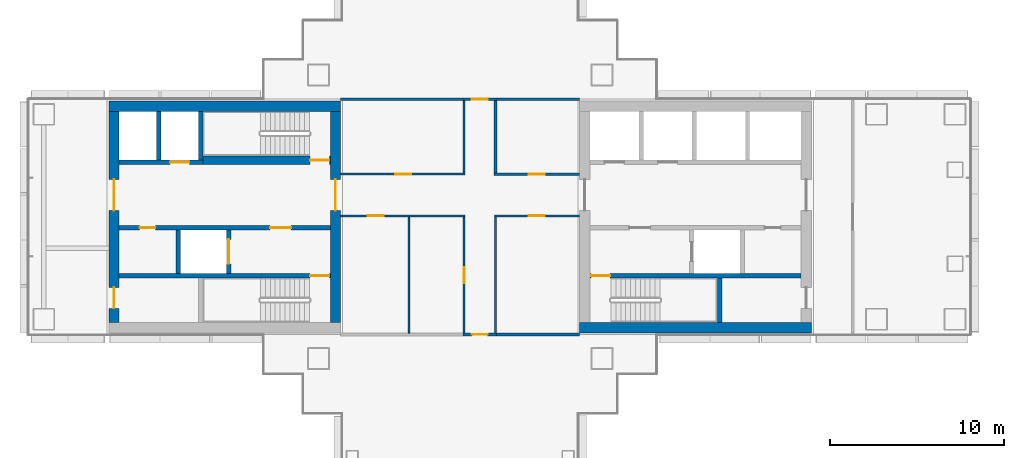
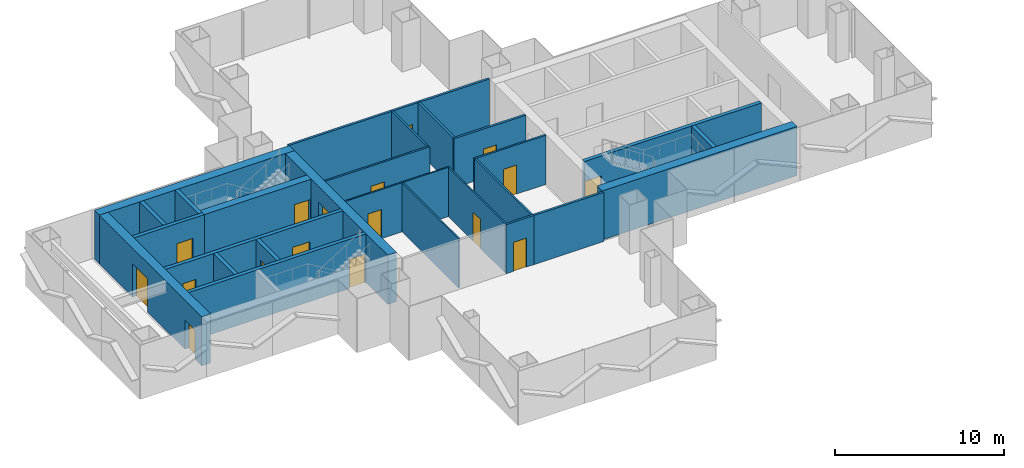
# One storey, part 12 of 18: 28 walls, 17 doors, 17 openings.
"""IFC4 building model written with IfcOpenShell, lengths in metres."""

from ifc_helpers import new_model, si_unit, direction, frame, frame_2d, origin, place, context, subcontext, project, spatial, rectangle, extrude, material, layer, layer_set, type_object, element, fill, save


model = new_model("IFC4")

# Units and contexts
model_context = context("Model", 3, precision=1e-05, world=origin(), true_north=direction((0.0, 1.0)))
body_context = subcontext(model_context, "Body", "Model", "MODEL_VIEW")
ifc_project = project(units=[si_unit("LENGTHUNIT", "METRE"), si_unit("AREAUNIT", "SQUARE_METRE"), si_unit("VOLUMEUNIT", "CUBIC_METRE"), si_unit("PLANEANGLEUNIT", "RADIAN"), si_unit("MASSUNIT", "GRAM", prefix="KILO")], contexts=[model_context])

# Site, building, storey
site_placement = place(None, origin())
site = spatial("IfcSite", under=ifc_project, at=site_placement, CompositionType="ELEMENT")
building_placement = place(site_placement, origin())
building = spatial("IfcBuilding", under=site, at=building_placement, Name="Shamsa Quay Exchange Towers", CompositionType="ELEMENT")
storey_placement = place(building_placement, frame((0.0, 0.0, 113.10009765625)))
storey = spatial("IfcBuildingStorey", under=building, at=storey_placement, Name="L26", CompositionType="ELEMENT", Elevation=113.10009765625)

# Walls
ifc_material_1 = material(Name="Concrete C70/85", Category="concrete")
ifc_layer_1 = layer(ifc_material_1, 0.60009765625)
ifc_layer_set_1 = layer_set([ifc_layer_1], Name="CORE WALL 600 C70/85")
wall_type_1 = type_object("IfcWallType", Name="CORE WALL 600 C70/85", PredefinedType="SHEAR", material=ifc_layer_set_1)
wall_1_placement = place(storey_placement, frame((-26.89990234375, -6.35009765625, 0.0)))
element("IfcWall", 1, at=wall_1_placement, inside=storey, type_object=wall_type_1, Name="Core wall T1A-R12-PS", PredefinedType="SHEAR", context=body_context, shape_type="SweptSolid", body=[
    extrude(rectangle(XDim=13.2998046875, YDim=0.60009765625, at=frame_2d((6.64990234375, 0.0))), origin(), (0.0, 0.0, 1.0), 3.5498046875),
])
wall_2_placement = place(storey_placement, frame((-40.60009765625, 6.35009765625, 0.0), z_axis=(0.0, 0.0, 1.0), x_axis=(-1.0, 0.0, 0.0)))
element("IfcWall", 2, at=wall_2_placement, inside=storey, type_object=wall_type_1, Name="Core wall T1B-R12-PN", PredefinedType="SHEAR", context=body_context, shape_type="SweptSolid", body=[
    extrude(rectangle(XDim=13.2998046875, YDim=0.60009765625, at=frame_2d((6.64990234375, 0.0))), origin(), (0.0, 0.0, 1.0), 3.5498046875),
])

# Wall, opening, door
wall_3_placement = place(storey_placement, frame((-40.89990234375, -6.050048828125, 0.0), z_axis=(0.0, 0.0, 1.0), x_axis=(0.0, 1.0, 0.0)))
wall_3 = element("IfcWall", 3, at=wall_3_placement, inside=storey, type_object=wall_type_1, Name="Core wall T1B-R12-PF", PredefinedType="SHEAR", context=body_context, shape_type="SweptSolid", body=[
    extrude(rectangle(XDim=12.10009765625, YDim=0.60009765625, at=frame_2d((6.050048828125, 0.0))), origin(), (0.0, 0.0, 1.0), 3.5498046875),
])
opening_1_placement = place(wall_3_placement, frame((6.39990234375, 0.0, 0.0)))
opening_1 = element("IfcOpeningElement", 4, at=opening_1_placement, cuts=wall_3, Name="Opening T1B-R12-LBD01", PredefinedType="OPENING", context=body_context, shape_type="SweptSolid", body=[
    extrude(rectangle(XDim=1.800048828125, YDim=2.39990234375, at=frame_2d((0.89990234375, 1.199951171875))), frame((0.0, 0.31005859375, 0.0), z_axis=(0.0, -1.0, 0.0), x_axis=(1.0, 0.0, 0.0)), (0.0, 0.0, 1.0), 0.6201171875),
])
ifc_material_2 = material(Name="Steel, fire rated", Category="steel")
door_type_1 = type_object("IfcDoorType", Name="LIFT LOBBY DOOR PAIR 1800", OperationType="DOUBLE_DOOR_SINGLE_SWING", PredefinedType="DOOR", material=ifc_material_2)
door_1_placement = place(opening_1_placement, origin())
door_1 = element("IfcDoor", 5, at=door_1_placement, inside=storey, type_object=door_type_1, Name="T1B-R12-LBD01", OperationType="DOUBLE_DOOR_SINGLE_SWING", OverallHeight=2.39990234375, OverallWidth=1.800048828125, PredefinedType="DOOR", context=body_context, shape_type="SweptSolid", body=[
    extrude(rectangle(XDim=1.800048828125, YDim=2.39990234375, at=frame_2d((0.89990234375, 1.199951171875))), frame((0.0, 0.02490234375, 0.0), z_axis=(0.0, -1.0, 0.0), x_axis=(1.0, 0.0, 0.0)), (0.0, 0.0, 1.0), 0.050048828125),
])
fill(opening_1, door_1)

# Wall, openings, doors
wall_4_placement = place(storey_placement, frame((-53.60009765625, -6.050048828125, 0.0), z_axis=(0.0, 0.0, 1.0), x_axis=(0.0, 1.0, 0.0)))
wall_4 = element("IfcWall", 6, at=wall_4_placement, inside=storey, type_object=wall_type_1, Name="Core wall T1B-R12-PB", PredefinedType="SHEAR", context=body_context, shape_type="SweptSolid", body=[
    extrude(rectangle(XDim=12.10009765625, YDim=0.60009765625, at=frame_2d((6.050048828125, 0.0))), origin(), (0.0, 0.0, 1.0), 3.5498046875),
])
opening_2_placement = place(wall_4_placement, frame((0.800048828125, 0.0, 0.0)))
opening_2 = element("IfcOpeningElement", 7, at=opening_2_placement, cuts=wall_4, Name="Opening T1B-R12-RD02", PredefinedType="OPENING", context=body_context, shape_type="SweptSolid", body=[
    extrude(rectangle(XDim=1.199951171875, YDim=2.10009765625, at=frame_2d((0.60009765625, 1.050048828125))), frame((0.0, 0.31005859375, 0.0), z_axis=(0.0, -1.0, 0.0), x_axis=(1.0, 0.0, 0.0)), (0.0, 0.0, 1.0), 0.6201171875),
])
opening_3_placement = place(wall_4_placement, frame((6.39990234375, 0.0, 0.0)))
opening_3 = element("IfcOpeningElement", 8, at=opening_3_placement, cuts=wall_4, Name="Opening T1B-R12-LBD03", PredefinedType="OPENING", context=body_context, shape_type="SweptSolid", body=[
    extrude(rectangle(XDim=1.800048828125, YDim=2.39990234375, at=frame_2d((0.89990234375, 1.199951171875))), frame((0.0, 0.31005859375, 0.0), z_axis=(0.0, -1.0, 0.0), x_axis=(1.0, 0.0, 0.0)), (0.0, 0.0, 1.0), 0.6201171875),
])
door_2_placement = place(opening_3_placement, origin())
door_2 = element("IfcDoor", 9, at=door_2_placement, inside=storey, type_object=door_type_1, Name="T1B-R12-LBD03", OperationType="DOUBLE_DOOR_SINGLE_SWING", OverallHeight=2.39990234375, OverallWidth=1.800048828125, PredefinedType="DOOR", context=body_context, shape_type="SweptSolid", body=[
    extrude(rectangle(XDim=1.800048828125, YDim=2.39990234375, at=frame_2d((0.89990234375, 1.199951171875))), frame((0.0, 0.02490234375, 0.0), z_axis=(0.0, -1.0, 0.0), x_axis=(1.0, 0.0, 0.0)), (0.0, 0.0, 1.0), 0.050048828125),
])
fill(opening_3, door_2)
door_type_2 = type_object("IfcDoorType", Name="RISER ACCESS DOOR 1200", OperationType="SINGLE_SWING_LEFT", PredefinedType="DOOR", material=ifc_material_2)
door_3_placement = place(opening_2_placement, origin())
door_3 = element("IfcDoor", 10, at=door_3_placement, inside=storey, type_object=door_type_2, Name="T1B-R12-RD02", OperationType="SINGLE_SWING_LEFT", OverallHeight=2.10009765625, OverallWidth=1.199951171875, PredefinedType="DOOR", context=body_context, shape_type="SweptSolid", body=[
    extrude(rectangle(XDim=1.199951171875, YDim=2.10009765625, at=frame_2d((0.60009765625, 1.050048828125))), frame((0.0, 0.02490234375, 0.0), z_axis=(0.0, -1.0, 0.0), x_axis=(1.0, 0.0, 0.0)), (0.0, 0.0, 1.0), 0.050048828125),
])
fill(opening_2, door_3)

# Wall, opening, door
ifc_material_3 = material(Name="Laminated fire-resisting glass in a metal frame", Category="glass")
ifc_layer_2 = layer(ifc_material_3, 0.125)
ifc_layer_set_2 = layer_set([ifc_layer_2], Name="Glazed partition 125 mm EI 60")
wall_type_2 = type_object("IfcWallType", Name="Glazed partition 125 mm EI 60", PredefinedType="PARTITIONING", material=ifc_layer_set_2)
wall_5_placement = place(storey_placement, frame((-26.89990234375, 0.0498046875, 0.0), z_axis=(0.0, 0.0, 1.0), x_axis=(-1.0, 0.0, 0.0)))
wall_5 = element("IfcWall", 11, at=wall_5_placement, inside=storey, type_object=wall_type_2, Name="Partition T1-R12-W03", PredefinedType="PARTITIONING", context=body_context, shape_type="SweptSolid", body=[
    extrude(rectangle(XDim=4.88720703125, YDim=0.125, at=frame_2d((2.443603515625, 0.0))), origin(), (0.0, 0.0, 1.0), 3.5498046875),
])
opening_4_placement = place(wall_5_placement, frame((2.01220703125, 0.0, 0.0)))
opening_4 = element("IfcOpeningElement", 12, at=opening_4_placement, cuts=wall_5, Name="Opening T1-R12-D07", PredefinedType="OPENING", context=body_context, shape_type="SweptSolid", body=[
    extrude(rectangle(XDim=0.89990234375, YDim=2.10009765625, at=frame_2d((0.449951171875, 1.050048828125))), frame((0.0, 0.072509765625, 0.0), z_axis=(0.0, -1.0, 0.0), x_axis=(1.0, 0.0, 0.0)), (0.0, 0.0, 1.0), 0.14501953125),
])
ifc_material_4 = material(Name="Timber door leaf in a metal frame", Category="wood")
door_type_3 = type_object("IfcDoorType", Name="Door 900x2100 FD30S", OperationType="NOTDEFINED", PredefinedType="DOOR", material=ifc_material_4)
door_4_placement = place(opening_4_placement, origin())
door_4 = element("IfcDoor", 13, at=door_4_placement, inside=storey, type_object=door_type_3, Name="Door T1-R12-D07", OperationType="SINGLE_SWING_LEFT", OverallHeight=2.10009765625, OverallWidth=0.89990234375, PredefinedType="DOOR", context=body_context, shape_type="SweptSolid", body=[
    extrude(rectangle(XDim=0.89990234375, YDim=2.10009765625, at=frame_2d((0.449951171875, 1.050048828125))), frame((0.0, 0.02490234375, 0.0), z_axis=(0.0, -1.0, 0.0), x_axis=(1.0, 0.0, 0.0)), (0.0, 0.0, 1.0), 0.050048828125),
])
fill(opening_4, door_4)

# Wall
wall_6_placement = place(storey_placement, frame((-31.724609375, -0.0126953125, 0.0), z_axis=(0.0, 0.0, 1.0), x_axis=(0.0, -1.0, 0.0)))
element("IfcWall", 14, at=wall_6_placement, inside=storey, type_object=wall_type_2, Name="Partition T1-R12-W04", PredefinedType="PARTITIONING", context=body_context, shape_type="SweptSolid", body=[
    extrude(rectangle(XDim=6.662353515625, YDim=0.125, at=frame_2d((3.3310546875, 0.0))), origin(), (0.0, 0.0, 1.0), 3.5498046875),
])

# Wall, opening, door
wall_7_placement = place(storey_placement, frame((-40.60009765625, 2.4501953125, 0.0)))
wall_7 = element("IfcWall", 15, at=wall_7_placement, inside=storey, type_object=wall_type_2, Name="Partition T1-R12-W05", PredefinedType="PARTITIONING", context=body_context, shape_type="SweptSolid", body=[
    extrude(rectangle(XDim=7.13720703125, YDim=0.125, at=frame_2d((3.568603515625, 0.0))), origin(), (0.0, 0.0, 1.0), 3.5498046875),
])
opening_5_placement = place(wall_7_placement, frame((3.13720703125, 0.0, 0.0)))
opening_5 = element("IfcOpeningElement", 16, at=opening_5_placement, cuts=wall_7, Name="Opening T1-R12-D01", PredefinedType="OPENING", context=body_context, shape_type="SweptSolid", body=[
    extrude(rectangle(XDim=0.89990234375, YDim=2.10009765625, at=frame_2d((0.449951171875, 1.050048828125))), frame((0.0, 0.072509765625, 0.0), z_axis=(0.0, -1.0, 0.0), x_axis=(1.0, 0.0, 0.0)), (0.0, 0.0, 1.0), 0.14501953125),
])
door_5_placement = place(opening_5_placement, origin())
door_5 = element("IfcDoor", 17, at=door_5_placement, inside=storey, type_object=door_type_3, Name="Door T1-R12-D01", OperationType="SINGLE_SWING_LEFT", OverallHeight=2.10009765625, OverallWidth=0.89990234375, PredefinedType="DOOR", context=body_context, shape_type="SweptSolid", body=[
    extrude(rectangle(XDim=0.89990234375, YDim=2.10009765625, at=frame_2d((0.449951171875, 1.050048828125))), frame((0.0, 0.02490234375, 0.0), z_axis=(0.0, -1.0, 0.0), x_axis=(1.0, 0.0, 0.0)), (0.0, 0.0, 1.0), 0.050048828125),
])
fill(opening_5, door_5)

# Wall
wall_8_placement = place(storey_placement, frame((-33.525390625, 2.5126953125, 0.0), z_axis=(0.0, 0.0, 1.0), x_axis=(0.0, 1.0, 0.0)))
element("IfcWall", 18, at=wall_8_placement, inside=storey, type_object=wall_type_2, Name="Partition T1-R12-W06", PredefinedType="PARTITIONING", context=body_context, shape_type="SweptSolid", body=[
    extrude(rectangle(XDim=4.162353515625, YDim=0.125, at=frame_2d((2.0810546875, 0.0))), origin(), (0.0, 0.0, 1.0), 3.5498046875),
])

# Wall, opening, door
ifc_material_5 = material(Name="Gypsum board partition on metal studs")
ifc_layer_3 = layer(ifc_material_5, 0.10009765625)
ifc_layer_set_3 = layer_set([ifc_layer_3], Name="Partition 100 mm NOT RATED")
wall_type_3 = type_object("IfcWallType", Name="Partition 100 mm NOT RATED", PredefinedType="PARTITIONING", material=ifc_layer_set_3)
wall_9_placement = place(storey_placement, frame((-33.475341796875, 0.0498046875, 0.0), z_axis=(0.0, 0.0, 1.0), x_axis=(-1.0, 0.0, 0.0)))
wall_9 = element("IfcWall", 19, at=wall_9_placement, inside=storey, type_object=wall_type_3, Name="Partition T1-R12-W07", PredefinedType="PARTITIONING", context=body_context, shape_type="SweptSolid", body=[
    extrude(rectangle(XDim=7.124755859375, YDim=0.10009765625, at=frame_2d((3.5625, 0.0))), origin(), (0.0, 0.0, 1.0), 3.5498046875),
])
opening_6_placement = place(wall_9_placement, frame((4.668212890625, 0.0, 0.0)))
opening_6 = element("IfcOpeningElement", 20, at=opening_6_placement, cuts=wall_9, Name="Opening T1-R12-D03", PredefinedType="OPENING", context=body_context, shape_type="SweptSolid", body=[
    extrude(rectangle(XDim=0.89990234375, YDim=2.10009765625, at=frame_2d((0.449951171875, 1.050048828125))), frame((0.0, 0.06005859375, 0.0), z_axis=(0.0, -1.0, 0.0), x_axis=(1.0, 0.0, 0.0)), (0.0, 0.0, 1.0), 0.1201171875),
])
door_type_4 = type_object("IfcDoorType", Name="Door 900x2100 NOT RATED", OperationType="NOTDEFINED", PredefinedType="DOOR", material=ifc_material_4)
door_6_placement = place(opening_6_placement, origin())
door_6 = element("IfcDoor", 21, at=door_6_placement, inside=storey, type_object=door_type_4, Name="Door T1-R12-D03", OperationType="SINGLE_SWING_LEFT", OverallHeight=2.10009765625, OverallWidth=0.89990234375, PredefinedType="DOOR", context=body_context, shape_type="SweptSolid", body=[
    extrude(rectangle(XDim=0.89990234375, YDim=2.10009765625, at=frame_2d((0.449951171875, 1.050048828125))), frame((0.0, 0.02490234375, 0.0), z_axis=(0.0, -1.0, 0.0), x_axis=(1.0, 0.0, 0.0)), (0.0, 0.0, 1.0), 0.050048828125),
])
fill(opening_6, door_6)

wall_10_placement = place(storey_placement, frame((-33.525390625, -6.675048828125, 0.0), z_axis=(0.0, 0.0, 1.0), x_axis=(0.0, 1.0, 0.0)))
wall_10 = element("IfcWall", 22, at=wall_10_placement, inside=storey, type_object=wall_type_3, Name="Partition T1-R12-W08", PredefinedType="PARTITIONING", context=body_context, shape_type="SweptSolid", body=[
    extrude(rectangle(XDim=6.6748046875, YDim=0.10009765625, at=frame_2d((3.33740234375, 0.0))), origin(), (0.0, 0.0, 1.0), 3.5498046875),
])
opening_7_placement = place(wall_10_placement, frame((2.875, 0.0, 0.0)))
opening_7 = element("IfcOpeningElement", 23, at=opening_7_placement, cuts=wall_10, Name="Opening T1-R12-D02", PredefinedType="OPENING", context=body_context, shape_type="SweptSolid", body=[
    extrude(rectangle(XDim=0.89990234375, YDim=2.10009765625, at=frame_2d((0.449951171875, 1.050048828125))), frame((0.0, 0.06005859375, 0.0), z_axis=(0.0, -1.0, 0.0), x_axis=(1.0, 0.0, 0.0)), (0.0, 0.0, 1.0), 0.1201171875),
])
door_7_placement = place(opening_7_placement, origin())
door_7 = element("IfcDoor", 24, at=door_7_placement, inside=storey, type_object=door_type_4, Name="Door T1-R12-D02", OperationType="SINGLE_SWING_RIGHT", OverallHeight=2.10009765625, OverallWidth=0.89990234375, PredefinedType="DOOR", context=body_context, shape_type="SweptSolid", body=[
    extrude(rectangle(XDim=0.89990234375, YDim=2.10009765625, at=frame_2d((0.449951171875, 1.050048828125))), frame((0.0, 0.02490234375, 0.0), z_axis=(0.0, -1.0, 0.0), x_axis=(1.0, 0.0, 0.0)), (0.0, 0.0, 1.0), 0.050048828125),
])
fill(opening_7, door_7)

# Walls
wall_11_placement = place(storey_placement, frame((-36.6875, -6.675048828125, 0.0), z_axis=(0.0, 0.0, 1.0), x_axis=(0.0, 1.0, 0.0)))
element("IfcWall", 25, at=wall_11_placement, inside=storey, type_object=wall_type_3, Name="Partition T1-R12-W16", PredefinedType="PARTITIONING", context=body_context, shape_type="SweptSolid", body=[
    extrude(rectangle(XDim=6.6748046875, YDim=0.10009765625, at=frame_2d((3.33740234375, 0.0))), origin(), (0.0, 0.0, 1.0), 3.5498046875),
])
ifc_layer_4 = layer(ifc_material_5, 0.14990234375)
ifc_layer_set_4 = layer_set([ifc_layer_4], Name="Partition 150 mm EI 60")
wall_type_4 = type_object("IfcWallType", Name="Partition 150 mm EI 60", PredefinedType="PARTITIONING", material=ifc_layer_set_4)
wall_12_placement = place(storey_placement, frame((-31.724609375, 6.675048828125, 0.0), z_axis=(0.0, 0.0, 1.0), x_axis=(0.0, -1.0, 0.0)))
element("IfcWall", 26, at=wall_12_placement, inside=storey, type_object=wall_type_4, Name="Partition T1-R12-W01", PredefinedType="PARTITIONING", context=body_context, shape_type="SweptSolid", body=[
    extrude(rectangle(XDim=4.14990234375, YDim=0.14990234375, at=frame_2d((2.074951171875, 0.0))), origin(), (0.0, 0.0, 1.0), 3.5498046875),
])

# Wall, opening, door
wall_13_placement = place(storey_placement, frame((-31.799560546875, 2.4501953125, 0.0)))
wall_13 = element("IfcWall", 27, at=wall_13_placement, inside=storey, type_object=wall_type_4, Name="Partition T1-R12-W02", PredefinedType="PARTITIONING", context=body_context, shape_type="SweptSolid", body=[
    extrude(rectangle(XDim=4.899658203125, YDim=0.14990234375, at=frame_2d((2.44970703125, 0.0))), origin(), (0.0, 0.0, 1.0), 3.5498046875),
])
opening_8_placement = place(wall_13_placement, frame((1.9873046875, 0.0, 0.0)))
opening_8 = element("IfcOpeningElement", 28, at=opening_8_placement, cuts=wall_13, Name="Opening T1-R12-D06", PredefinedType="OPENING", context=body_context, shape_type="SweptSolid", body=[
    extrude(rectangle(XDim=0.89990234375, YDim=2.10009765625, at=frame_2d((0.449951171875, 1.050048828125))), frame((0.0, 0.0849609375, 0.0), z_axis=(0.0, -1.0, 0.0), x_axis=(1.0, 0.0, 0.0)), (0.0, 0.0, 1.0), 0.169921875),
])
door_8_placement = place(opening_8_placement, origin())
door_8 = element("IfcDoor", 29, at=door_8_placement, inside=storey, type_object=door_type_3, Name="Door T1-R12-D06", OperationType="SINGLE_SWING_LEFT", OverallHeight=2.10009765625, OverallWidth=0.89990234375, PredefinedType="DOOR", context=body_context, shape_type="SweptSolid", body=[
    extrude(rectangle(XDim=0.89990234375, YDim=2.10009765625, at=frame_2d((0.449951171875, 1.050048828125))), frame((0.0, 0.02490234375, 0.0), z_axis=(0.0, -1.0, 0.0), x_axis=(1.0, 0.0, 0.0)), (0.0, 0.0, 1.0), 0.050048828125),
])
fill(opening_8, door_8)

wall_14_placement = place(storey_placement, frame((-33.587890625, 6.75, 0.0)))
wall_14 = element("IfcWall", 30, at=wall_14_placement, inside=storey, type_object=wall_type_4, Name="Partition T1-R12-W09", PredefinedType="PARTITIONING", context=body_context, shape_type="SweptSolid", body=[
    extrude(rectangle(XDim=1.938232421875, YDim=0.14990234375, at=frame_2d((0.96923828125, 0.0))), origin(), (0.0, 0.0, 1.0), 3.5498046875),
])
opening_9_placement = place(wall_14_placement, frame((0.512939453125, 0.0, 0.0)))
opening_9 = element("IfcOpeningElement", 31, at=opening_9_placement, cuts=wall_14, Name="Opening T1-R12-D04", PredefinedType="OPENING", context=body_context, shape_type="SweptSolid", body=[
    extrude(rectangle(XDim=0.89990234375, YDim=2.10009765625, at=frame_2d((0.449951171875, 1.050048828125))), frame((0.0, 0.0849609375, 0.0), z_axis=(0.0, -1.0, 0.0), x_axis=(1.0, 0.0, 0.0)), (0.0, 0.0, 1.0), 0.169921875),
])
door_9_placement = place(opening_9_placement, origin())
door_9 = element("IfcDoor", 32, at=door_9_placement, inside=storey, type_object=door_type_3, Name="Door T1-R12-D04", OperationType="SINGLE_SWING_LEFT", OverallHeight=2.10009765625, OverallWidth=0.89990234375, PredefinedType="DOOR", context=body_context, shape_type="SweptSolid", body=[
    extrude(rectangle(XDim=0.89990234375, YDim=2.10009765625, at=frame_2d((0.449951171875, 1.050048828125))), frame((0.0, 0.02490234375, 0.0), z_axis=(0.0, -1.0, 0.0), x_axis=(1.0, 0.0, 0.0)), (0.0, 0.0, 1.0), 0.050048828125),
])
fill(opening_9, door_9)

wall_15_placement = place(storey_placement, frame((-31.662109375, -6.75, 0.0), z_axis=(0.0, 0.0, 1.0), x_axis=(-1.0, 0.0, 0.0)))
wall_15 = element("IfcWall", 33, at=wall_15_placement, inside=storey, type_object=wall_type_4, Name="Partition T1-R12-W10", PredefinedType="PARTITIONING", context=body_context, shape_type="SweptSolid", body=[
    extrude(rectangle(XDim=1.913330078125, YDim=0.14990234375, at=frame_2d((0.95654296875, 0.0))), origin(), (0.0, 0.0, 1.0), 3.5498046875),
])
opening_10_placement = place(wall_15_placement, frame((0.512939453125, 0.0, 0.0)))
opening_10 = element("IfcOpeningElement", 34, at=opening_10_placement, cuts=wall_15, Name="Opening T1-R12-D05", PredefinedType="OPENING", context=body_context, shape_type="SweptSolid", body=[
    extrude(rectangle(XDim=0.89990234375, YDim=2.10009765625, at=frame_2d((0.449951171875, 1.050048828125))), frame((0.0, 0.0849609375, 0.0), z_axis=(0.0, -1.0, 0.0), x_axis=(1.0, 0.0, 0.0)), (0.0, 0.0, 1.0), 0.169921875),
])
door_10_placement = place(opening_10_placement, origin())
door_10 = element("IfcDoor", 35, at=door_10_placement, inside=storey, type_object=door_type_3, Name="Door T1-R12-D05", OperationType="SINGLE_SWING_RIGHT", OverallHeight=2.10009765625, OverallWidth=0.89990234375, PredefinedType="DOOR", context=body_context, shape_type="SweptSolid", body=[
    extrude(rectangle(XDim=0.89990234375, YDim=2.10009765625, at=frame_2d((0.449951171875, 1.050048828125))), frame((0.0, 0.02490234375, 0.0), z_axis=(0.0, -1.0, 0.0), x_axis=(1.0, 0.0, 0.0)), (0.0, 0.0, 1.0), 0.050048828125),
])
fill(opening_10, door_10)

# Walls
wall_16_placement = place(storey_placement, frame((-26.89990234375, 6.75, 0.0), z_axis=(0.0, 0.0, 1.0), x_axis=(-1.0, 0.0, 0.0)))
element("IfcWall", 36, at=wall_16_placement, inside=storey, type_object=wall_type_4, Name="Partition T1-R12-W12", PredefinedType="PARTITIONING", context=body_context, shape_type="SweptSolid", body=[
    extrude(rectangle(XDim=4.899658203125, YDim=0.14990234375, at=frame_2d((2.44970703125, 0.0))), origin(), (0.0, 0.0, 1.0), 3.5498046875),
])
wall_17_placement = place(storey_placement, frame((-33.462890625, 6.75, 0.0), z_axis=(0.0, 0.0, 1.0), x_axis=(-1.0, 0.0, 0.0)))
element("IfcWall", 37, at=wall_17_placement, inside=storey, type_object=wall_type_4, Name="Partition T1-R12-W13", PredefinedType="PARTITIONING", context=body_context, shape_type="SweptSolid", body=[
    extrude(rectangle(XDim=7.13720703125, YDim=0.14990234375, at=frame_2d((3.568603515625, 0.0))), origin(), (0.0, 0.0, 1.0), 3.5498046875),
])
wall_18_placement = place(storey_placement, frame((-31.787109375, -6.75, 0.0)))
element("IfcWall", 38, at=wall_18_placement, inside=storey, type_object=wall_type_4, Name="Partition T1-R12-W15", PredefinedType="PARTITIONING", context=body_context, shape_type="SweptSolid", body=[
    extrude(rectangle(XDim=4.88720703125, YDim=0.14990234375, at=frame_2d((2.443603515625, 0.0))), origin(), (0.0, 0.0, 1.0), 3.5498046875),
])

# Wall, opening, door
ifc_material_6 = material(Name="Concrete C50/60", Category="concrete")
ifc_layer_5 = layer(ifc_material_6, 0.25)
ifc_layer_set_5 = layer_set([ifc_layer_5], Name="SHAFT WALL 250 C50/60")
wall_type_5 = type_object("IfcWallType", Name="SHAFT WALL 250 C50/60", PredefinedType="SHEAR", material=ifc_layer_set_5)
wall_19_placement = place(storey_placement, frame((-14.199951171875, -3.375, 0.0), z_axis=(0.0, 0.0, 1.0), x_axis=(-1.0, 0.0, 0.0)))
wall_19 = element("IfcWall", 39, at=wall_19_placement, inside=storey, type_object=wall_type_5, Name="Shaft wall T1A-R12-STL", PredefinedType="SHEAR", context=body_context, shape_type="SweptSolid", body=[
    extrude(rectangle(XDim=12.10009765625, YDim=0.25, at=frame_2d((6.050048828125, 0.0))), origin(), (0.0, 0.0, 1.0), 3.5498046875),
])
opening_11_placement = place(wall_19_placement, frame((10.949951171875, 0.0, 0.0)))
opening_11 = element("IfcOpeningElement", 40, at=opening_11_placement, cuts=wall_19, Name="Opening T1A-R12-SD04", PredefinedType="OPENING", context=body_context, shape_type="SweptSolid", body=[
    extrude(rectangle(XDim=1.10009765625, YDim=2.10009765625, at=frame_2d((0.550048828125, 1.050048828125))), frame((0.0, 0.135009765625, 0.0), z_axis=(0.0, -1.0, 0.0), x_axis=(1.0, 0.0, 0.0)), (0.0, 0.0, 1.0), 0.27001953125),
])
door_type_5 = type_object("IfcDoorType", Name="STAIR DOOR 1100", OperationType="SINGLE_SWING_LEFT", PredefinedType="DOOR", material=ifc_material_2)
door_11_placement = place(opening_11_placement, origin())
door_11 = element("IfcDoor", 41, at=door_11_placement, inside=storey, type_object=door_type_5, Name="T1A-R12-SD04", OperationType="SINGLE_SWING_RIGHT", OverallHeight=2.10009765625, OverallWidth=1.10009765625, PredefinedType="DOOR", context=body_context, shape_type="SweptSolid", body=[
    extrude(rectangle(XDim=1.10009765625, YDim=2.10009765625, at=frame_2d((0.550048828125, 1.050048828125))), frame((0.0, 0.02490234375, 0.0), z_axis=(0.0, -1.0, 0.0), x_axis=(1.0, 0.0, 0.0)), (0.0, 0.0, 1.0), 0.050048828125),
])
fill(opening_11, door_11)

# Wall
wall_20_placement = place(storey_placement, frame((-18.875, -6.050048828125, 0.0), z_axis=(0.0, 0.0, 1.0), x_axis=(0.0, 1.0, 0.0)))
element("IfcWall", 42, at=wall_20_placement, inside=storey, type_object=wall_type_5, Name="Shaft wall T1A-R12-STF", PredefinedType="SHEAR", context=body_context, shape_type="SweptSolid", body=[
    extrude(rectangle(XDim=2.550048828125, YDim=0.25, at=frame_2d((1.27490234375, 0.0))), origin(), (0.0, 0.0, 1.0), 3.5498046875),
])

# Wall, opening, door
wall_21_placement = place(storey_placement, frame((-41.199951171875, -3.375, 0.0), z_axis=(0.0, 0.0, 1.0), x_axis=(-1.0, 0.0, 0.0)))
wall_21 = element("IfcWall", 43, at=wall_21_placement, inside=storey, type_object=wall_type_5, Name="Shaft wall T1B-R12-STL", PredefinedType="SHEAR", context=body_context, shape_type="SweptSolid", body=[
    extrude(rectangle(XDim=12.10009765625, YDim=0.25, at=frame_2d((6.050048828125, 0.0))), origin(), (0.0, 0.0, 1.0), 3.5498046875),
])
opening_12_placement = place(wall_21_placement, frame((0.050048828125, 0.0, 0.0)))
opening_12 = element("IfcOpeningElement", 44, at=opening_12_placement, cuts=wall_21, Name="Opening T1B-R12-SD04", PredefinedType="OPENING", context=body_context, shape_type="SweptSolid", body=[
    extrude(rectangle(XDim=1.10009765625, YDim=2.10009765625, at=frame_2d((0.550048828125, 1.050048828125))), frame((0.0, 0.135009765625, 0.0), z_axis=(0.0, -1.0, 0.0), x_axis=(1.0, 0.0, 0.0)), (0.0, 0.0, 1.0), 0.27001953125),
])
door_12_placement = place(opening_12_placement, origin())
door_12 = element("IfcDoor", 45, at=door_12_placement, inside=storey, type_object=door_type_5, Name="T1B-R12-SD04", OperationType="SINGLE_SWING_LEFT", OverallHeight=2.10009765625, OverallWidth=1.10009765625, PredefinedType="DOOR", context=body_context, shape_type="SweptSolid", body=[
    extrude(rectangle(XDim=1.10009765625, YDim=2.10009765625, at=frame_2d((0.550048828125, 1.050048828125))), frame((0.0, 0.02490234375, 0.0), z_axis=(0.0, -1.0, 0.0), x_axis=(1.0, 0.0, 0.0)), (0.0, 0.0, 1.0), 0.050048828125),
])
fill(opening_12, door_12)

# Wall, openings, doors
wall_22_placement = place(storey_placement, frame((-41.199951171875, -0.625, 0.0), z_axis=(0.0, 0.0, 1.0), x_axis=(-1.0, 0.0, 0.0)))
wall_22 = element("IfcWall", 46, at=wall_22_placement, inside=storey, type_object=wall_type_5, Name="Shaft wall T1B-R12-B", PredefinedType="SHEAR", context=body_context, shape_type="SweptSolid", body=[
    extrude(rectangle(XDim=12.10009765625, YDim=0.25, at=frame_2d((6.050048828125, 0.0))), origin(), (0.0, 0.0, 1.0), 3.5498046875),
])
opening_13_placement = place(wall_22_placement, frame((2.25, 0.0, 0.0)))
opening_13 = element("IfcOpeningElement", 47, at=opening_13_placement, cuts=wall_22, Name="Opening T1B-R12-FD05", PredefinedType="OPENING", context=body_context, shape_type="SweptSolid", body=[
    extrude(rectangle(XDim=1.199951171875, YDim=2.10009765625, at=frame_2d((0.60009765625, 1.050048828125))), frame((0.0, 0.135009765625, 0.0), z_axis=(0.0, -1.0, 0.0), x_axis=(1.0, 0.0, 0.0)), (0.0, 0.0, 1.0), 0.27001953125),
])
opening_14_placement = place(wall_22_placement, frame((10.02490234375, 0.0, 0.0)))
opening_14 = element("IfcOpeningElement", 48, at=opening_14_placement, cuts=wall_22, Name="Opening T1B-R12-SV06", PredefinedType="OPENING", context=body_context, shape_type="SweptSolid", body=[
    extrude(rectangle(XDim=0.89990234375, YDim=2.10009765625, at=frame_2d((0.449951171875, 1.050048828125))), frame((0.0, 0.135009765625, 0.0), z_axis=(0.0, -1.0, 0.0), x_axis=(1.0, 0.0, 0.0)), (0.0, 0.0, 1.0), 0.27001953125),
])
door_type_6 = type_object("IfcDoorType", Name="FIRE SERVICE LOBBY DOOR 1200", OperationType="SINGLE_SWING_LEFT", PredefinedType="DOOR", material=ifc_material_2)
door_13_placement = place(opening_13_placement, origin())
door_13 = element("IfcDoor", 49, at=door_13_placement, inside=storey, type_object=door_type_6, Name="T1B-R12-FD05", OperationType="SINGLE_SWING_LEFT", OverallHeight=2.10009765625, OverallWidth=1.199951171875, PredefinedType="DOOR", context=body_context, shape_type="SweptSolid", body=[
    extrude(rectangle(XDim=1.199951171875, YDim=2.10009765625, at=frame_2d((0.60009765625, 1.050048828125))), frame((0.0, 0.02490234375, 0.0), z_axis=(0.0, -1.0, 0.0), x_axis=(1.0, 0.0, 0.0)), (0.0, 0.0, 1.0), 0.050048828125),
])
fill(opening_13, door_13)
door_type_7 = type_object("IfcDoorType", Name="SERVICE ROOM DOOR 900", OperationType="SINGLE_SWING_LEFT", PredefinedType="DOOR", material=ifc_material_2)
door_14_placement = place(opening_14_placement, origin())
door_14 = element("IfcDoor", 50, at=door_14_placement, inside=storey, type_object=door_type_7, Name="T1B-R12-SV06", OperationType="SINGLE_SWING_RIGHT", OverallHeight=2.10009765625, OverallWidth=0.89990234375, PredefinedType="DOOR", context=body_context, shape_type="SweptSolid", body=[
    extrude(rectangle(XDim=0.89990234375, YDim=2.10009765625, at=frame_2d((0.449951171875, 1.050048828125))), frame((0.0, 0.02490234375, 0.0), z_axis=(0.0, -1.0, 0.0), x_axis=(1.0, 0.0, 0.0)), (0.0, 0.0, 1.0), 0.050048828125),
])
fill(opening_14, door_14)

# Wall, opening, door
wall_23_placement = place(storey_placement, frame((-47.02490234375, -3.25, 0.0), z_axis=(0.0, 0.0, 1.0), x_axis=(0.0, 1.0, 0.0)))
wall_23 = element("IfcWall", 51, at=wall_23_placement, inside=storey, type_object=wall_type_5, Name="Shaft wall T1B-R12-FFF", PredefinedType="SHEAR", context=body_context, shape_type="SweptSolid", body=[
    extrude(rectangle(XDim=2.5, YDim=0.25, at=frame_2d((1.25, 0.0))), origin(), (0.0, 0.0, 1.0), 3.5498046875),
])
opening_15_placement = place(wall_23_placement, frame((0.550048828125, 0.0, 0.0)))
opening_15 = element("IfcOpeningElement", 52, at=opening_15_placement, cuts=wall_23, Name="Opening T1B-R12-LDG07", PredefinedType="OPENING", context=body_context, shape_type="SweptSolid", body=[
    extrude(rectangle(XDim=1.39990234375, YDim=2.39990234375, at=frame_2d((0.699951171875, 1.199951171875))), frame((0.0, 0.135009765625, 0.0), z_axis=(0.0, -1.0, 0.0), x_axis=(1.0, 0.0, 0.0)), (0.0, 0.0, 1.0), 0.27001953125),
])
door_type_8 = type_object("IfcDoorType", Name="GOODS LIFT LANDING DOOR 1400", OperationType="SLIDING_TO_LEFT", PredefinedType="DOOR", material=ifc_material_2)
door_15_placement = place(opening_15_placement, origin())
door_15 = element("IfcDoor", 53, at=door_15_placement, inside=storey, type_object=door_type_8, Name="T1B-R12-LDG07", OperationType="SLIDING_TO_LEFT", OverallHeight=2.39990234375, OverallWidth=1.39990234375, PredefinedType="DOOR", context=body_context, shape_type="SweptSolid", body=[
    extrude(rectangle(XDim=1.39990234375, YDim=2.39990234375, at=frame_2d((0.699951171875, 1.199951171875))), frame((0.0, 0.02490234375, 0.0), z_axis=(0.0, -1.0, 0.0), x_axis=(1.0, 0.0, 0.0)), (0.0, 0.0, 1.0), 0.050048828125),
])
fill(opening_15, door_15)

# Wall
wall_24_placement = place(storey_placement, frame((-49.925048828125, -3.25, 0.0), z_axis=(0.0, 0.0, 1.0), x_axis=(0.0, 1.0, 0.0)))
element("IfcWall", 54, at=wall_24_placement, inside=storey, type_object=wall_type_5, Name="Shaft wall T1B-R12-FFB", PredefinedType="SHEAR", context=body_context, shape_type="SweptSolid", body=[
    extrude(rectangle(XDim=2.5, YDim=0.25, at=frame_2d((1.25, 0.0))), origin(), (0.0, 0.0, 1.0), 3.5498046875),
])

# Wall, opening, door
wall_25_placement = place(storey_placement, frame((-48.5, 3.125, 0.0), z_axis=(0.0, 0.0, 1.0), x_axis=(-1.0, 0.0, 0.0)))
wall_25 = element("IfcWall", 55, at=wall_25_placement, inside=storey, type_object=wall_type_5, Name="Shaft wall T1B-R12-N2", PredefinedType="SHEAR", context=body_context, shape_type="SweptSolid", body=[
    extrude(rectangle(XDim=4.800048828125, YDim=0.25, at=frame_2d((2.39990234375, 0.0))), origin(), (0.0, 0.0, 1.0), 3.5498046875),
])
opening_16_placement = place(wall_25_placement, frame((0.77490234375, 0.0, 0.0)))
opening_16 = element("IfcOpeningElement", 56, at=opening_16_placement, cuts=wall_25, Name="Opening T1B-R12-LD09", PredefinedType="OPENING", context=body_context, shape_type="SweptSolid", body=[
    extrude(rectangle(XDim=1.10009765625, YDim=2.10009765625, at=frame_2d((0.550048828125, 1.050048828125))), frame((0.0, 0.135009765625, 0.0), z_axis=(0.0, -1.0, 0.0), x_axis=(1.0, 0.0, 0.0)), (0.0, 0.0, 1.0), 0.27001953125),
])
door_type_9 = type_object("IfcDoorType", Name="LANDING DOOR 1100", OperationType="SLIDING_TO_LEFT", PredefinedType="DOOR", material=ifc_material_2)
door_16_placement = place(opening_16_placement, origin())
door_16 = element("IfcDoor", 57, at=door_16_placement, inside=storey, type_object=door_type_9, Name="T1B-R12-LD09", OperationType="SLIDING_TO_LEFT", OverallHeight=2.10009765625, OverallWidth=1.10009765625, PredefinedType="DOOR", context=body_context, shape_type="SweptSolid", body=[
    extrude(rectangle(XDim=1.10009765625, YDim=2.10009765625, at=frame_2d((0.550048828125, 1.050048828125))), frame((0.0, 0.02490234375, 0.0), z_axis=(0.0, -1.0, 0.0), x_axis=(1.0, 0.0, 0.0)), (0.0, 0.0, 1.0), 0.050048828125),
])
fill(opening_16, door_16)

# Walls
for number, where, z_axis, x_axis, name in (
    (58, (-48.625, 3.25, 0.0), (0.0, 0.0, 1.0), (0.0, 1.0, 0.0), "Shaft wall T1B-R12-STF2"),
    (59, (-51.02490234375, 3.25, 0.0), (0.0, 0.0, 1.0), (0.0, 1.0, 0.0), "Shaft wall T1B-R12-D0"),
):
    element("IfcWall", number, at=place(storey_placement, frame(where, z_axis=z_axis, x_axis=x_axis)), inside=storey, type_object=wall_type_5, Name=name, PredefinedType="SHEAR", context=body_context, shape_type="SweptSolid", body=[
        extrude(rectangle(XDim=2.800048828125, YDim=0.25, at=frame_2d((1.39990234375, 0.0))), origin(), (0.0, 0.0, 1.0), 3.5498046875),
    ])

# Wall, opening, door
ifc_layer_6 = layer(ifc_material_6, 0.5)
ifc_layer_set_6 = layer_set([ifc_layer_6], Name="SHAFT WALL 500 C50/60")
wall_type_6 = type_object("IfcWallType", Name="SHAFT WALL 500 C50/60", PredefinedType="SHEAR", material=ifc_layer_set_6)
wall_26_placement = place(storey_placement, frame((-48.5, 3.25, 0.0)))
wall_26 = element("IfcWall", 60, at=wall_26_placement, inside=storey, type_object=wall_type_6, Name="Shaft wall T1B-R12-N", PredefinedType="SHEAR", context=body_context, shape_type="SweptSolid", body=[
    extrude(rectangle(XDim=7.300048828125, YDim=0.5, at=frame_2d((3.64990234375, 0.0))), origin(), (0.0, 0.0, 1.0), 3.5498046875),
])
opening_17_placement = place(wall_26_placement, frame((6.14990234375, 0.0, 0.0)))
opening_17 = element("IfcOpeningElement", 61, at=opening_17_placement, cuts=wall_26, Name="Opening T1B-R12-SD08", PredefinedType="OPENING", context=body_context, shape_type="SweptSolid", body=[
    extrude(rectangle(XDim=1.10009765625, YDim=2.10009765625, at=frame_2d((0.550048828125, 1.050048828125))), frame((0.0, 0.260009765625, 0.0), z_axis=(0.0, -1.0, 0.0), x_axis=(1.0, 0.0, 0.0)), (0.0, 0.0, 1.0), 0.52001953125),
])
door_17_placement = place(opening_17_placement, origin())
door_17 = element("IfcDoor", 62, at=door_17_placement, inside=storey, type_object=door_type_5, Name="T1B-R12-SD08", OperationType="SINGLE_SWING_RIGHT", OverallHeight=2.10009765625, OverallWidth=1.10009765625, PredefinedType="DOOR", context=body_context, shape_type="SweptSolid", body=[
    extrude(rectangle(XDim=1.10009765625, YDim=2.10009765625, at=frame_2d((0.550048828125, 1.050048828125))), frame((0.0, 0.02490234375, 0.0), z_axis=(0.0, -1.0, 0.0), x_axis=(1.0, 0.0, 0.0)), (0.0, 0.0, 1.0), 0.050048828125),
])
fill(opening_17, door_17)

save(model, "model.ifc")
